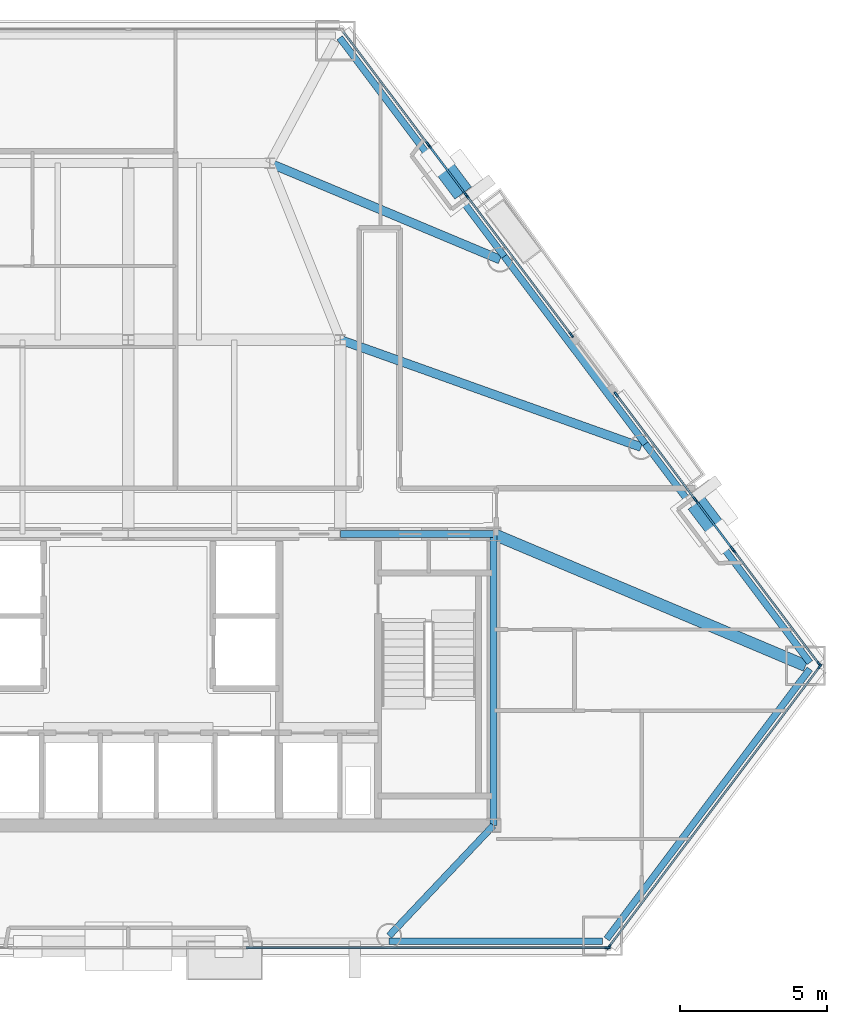
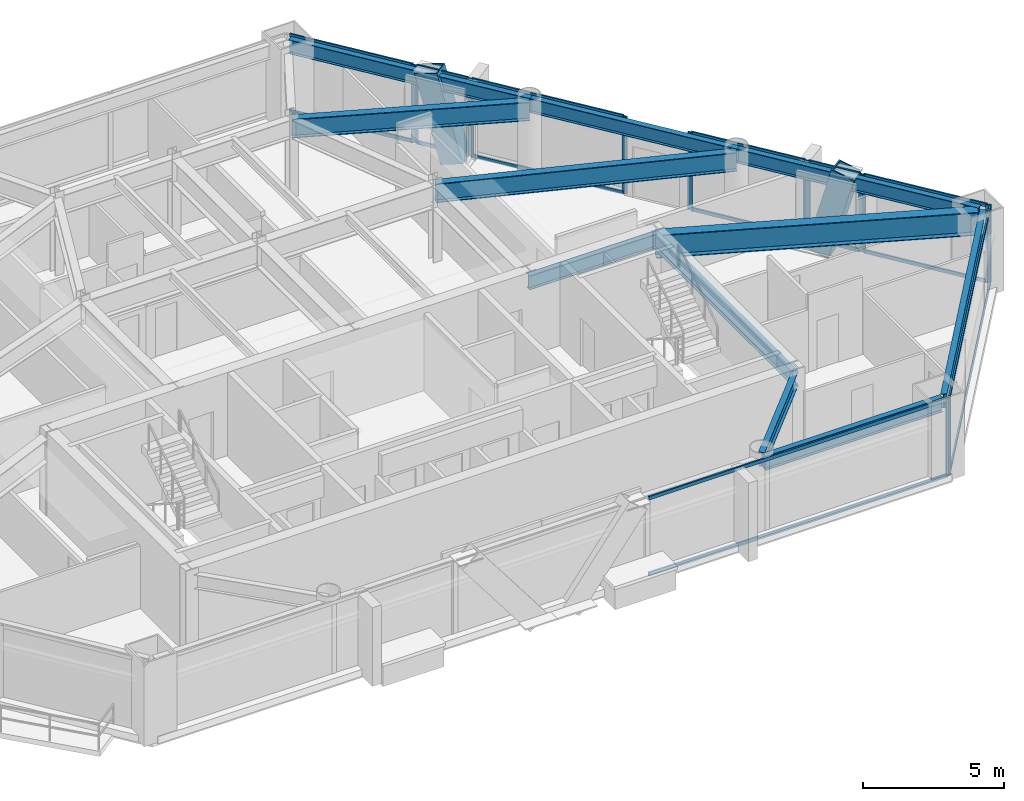
# One storey, part 4 of 10: 32 members, 11 beams, 8 elements without a shape of their own.
"""IFC4 building model written with IfcOpenShell, lengths in metres."""

from ifc_helpers import new_model, si_unit, direction, frame, origin, origin_2d, place, context, subcontext, project, spatial, rectangle, hollow_rectangle, i_section, extrude, material, layer, layer_set, material_profile, profile_set, type_object, element, aggregate, save


model = new_model("IFC4")

# Units and contexts
model_context = context("Model", 3, precision=1e-05, world=origin(), true_north=direction((0.0, 1.0)))
body_context = subcontext(model_context, "Body", "Model", "MODEL_VIEW")
ifc_project = project(units=[si_unit("LENGTHUNIT", "METRE"), si_unit("AREAUNIT", "SQUARE_METRE"), si_unit("VOLUMEUNIT", "CUBIC_METRE"), si_unit("PLANEANGLEUNIT", "RADIAN"), si_unit("MASSUNIT", "GRAM", prefix="KILO")], contexts=[model_context])

# Site, building, storey
site_placement = place(None, origin())
site = spatial("IfcSite", under=ifc_project, at=site_placement, CompositionType="ELEMENT")
building_placement = place(site_placement, origin())
building = spatial("IfcBuilding", under=site, at=building_placement, Name="Talgorran Terracotta Tower", CompositionType="ELEMENT")
storey_placement = place(building_placement, frame((0.0, 0.0, 75.60009765625)))
storey = spatial("IfcBuildingStorey", under=building, at=storey_placement, Name="L19", CompositionType="ELEMENT", Elevation=75.60009765625)

# Beams
ifc_material_1 = material(Name="Steel Grade 350 (350L0)", Category="steel")
ifc_material_profile_1 = material_profile(ifc_material_1, i_section(OverallWidth=0.39990234375, OverallDepth=1.0, WebThickness=0.01611328125, FlangeThickness=0.031005859375, at=origin_2d()), Name="1000WB296")
ifc_profile_set_1 = profile_set([ifc_material_profile_1], Name="Steel Grade 350 (350L0)")
beam_type_1 = type_object("IfcBeamType", Name="BM_1000WB296", PredefinedType="BEAM", material=ifc_profile_set_1)
beam_1_placement = place(storey_placement, frame((12.39990234375, -4.199951171875, 2.849853515625), z_axis=(0.921400833848, -0.388613565619, 0.0), x_axis=(0.388613565619, 0.921400833848, 0.0)))
element("IfcBeam", 1, at=beam_1_placement, inside=storey, type_object=beam_type_1, Name="L19 Floor Girder G18", PredefinedType="BEAM", context=body_context, shape_type="SweptSolid", body=[
    extrude(i_section(OverallWidth=0.39990234375, OverallDepth=1.0, WebThickness=0.01611328125, FlangeThickness=0.031005859375, at=origin_2d()), origin(), (0.0, 0.0, 1.0), 11.510009765625),
])
ifc_material_2 = material(Name="Steel S355 (300PLUS)", Category="steel")
ifc_material_profile_2 = material_profile(ifc_material_2, i_section(OverallWidth=0.300048828125, OverallDepth=0.81591796875, WebThickness=0.013916015625, FlangeThickness=0.028076171875, at=origin_2d()), Name="800WB192")
ifc_profile_set_2 = profile_set([ifc_material_profile_2], Name="Steel S355 (300PLUS)")
beam_type_2 = type_object("IfcBeamType", Name="BM_800WB192", PredefinedType="BEAM", material=ifc_profile_set_2)
beam_2_placement = place(storey_placement, frame((7.199951171875, 2.39990234375, 2.94189453125), z_axis=(0.941876792617, -0.335958490783, 0.0), x_axis=(0.335958490783, 0.941876792617, 0.0)))
element("IfcBeam", 2, at=beam_2_placement, inside=storey, type_object=beam_type_2, Name="L19 Floor Girder G07", PredefinedType="BEAM", context=body_context, shape_type="SweptSolid", body=[
    extrude(i_section(OverallWidth=0.300048828125, OverallDepth=0.81591796875, WebThickness=0.013916015625, FlangeThickness=0.028076171875, at=origin_2d()), origin(), (0.0, 0.0, 1.0), 10.845947265625),
])
beam_3_placement = place(storey_placement, frame((4.800048828125, 8.39990234375, 2.94189453125), z_axis=(0.922404506717, -0.386225227023, 0.0), x_axis=(0.386225227023, 0.922404506717, 0.0)))
element("IfcBeam", 3, at=beam_3_placement, inside=storey, type_object=beam_type_2, Name="L19 Floor Girder G14", PredefinedType="BEAM", context=body_context, shape_type="SweptSolid", body=[
    extrude(i_section(OverallWidth=0.300048828125, OverallDepth=0.81591796875, WebThickness=0.013916015625, FlangeThickness=0.028076171875, at=origin_2d()), origin(), (0.0, 0.0, 1.0), 8.482421875),
])
ifc_material_profile_3 = material_profile(ifc_material_2, i_section(OverallWidth=0.22900390625, OverallDepth=0.611572265625, WebThickness=0.011962890625, FlangeThickness=0.01953125, at=origin_2d()), Name="610UB125")
ifc_profile_set_3 = profile_set([ifc_material_profile_3], Name="Steel S355 (300PLUS)")
beam_type_3 = type_object("IfcBeamType", Name="BM_SP_610UB125", PredefinedType="SPANDREL", material=ifc_profile_set_3)
beam_4_placement = place(storey_placement, frame((8.8564453125, -18.026611328125, 3.044189453125), z_axis=(1.0, 0.0, 0.0), x_axis=(0.0, 1.0, 0.0)))
element("IfcBeam", 4, at=beam_4_placement, inside=storey, type_object=beam_type_3, Name="L19 Perimeter Spandrel Beam FC2-MC3", PredefinedType="SPANDREL", context=body_context, shape_type="SweptSolid", body=[
    extrude(i_section(OverallWidth=0.22900390625, OverallDepth=0.611572265625, WebThickness=0.011962890625, FlangeThickness=0.01953125, at=origin_2d()), origin(), (0.0, 0.0, 1.0), 7.24609375),
])
beam_5_placement = place(storey_placement, frame((16.246337890625, -17.954833984375, 3.044189453125), z_axis=(0.601237780209, 0.799070166913, 0.0), x_axis=(-0.799070166913, 0.601237780209, 0.0)))
element("IfcBeam", 5, at=beam_5_placement, inside=storey, type_object=beam_type_3, Name="L19 Perimeter Spandrel Beam MC3-MC4", PredefinedType="SPANDREL", context=body_context, shape_type="SweptSolid", body=[
    extrude(i_section(OverallWidth=0.22900390625, OverallDepth=0.611572265625, WebThickness=0.011962890625, FlangeThickness=0.01953125, at=origin_2d()), origin(), (0.0, 0.0, 1.0), 11.480712890625),
])
beam_6_placement = place(storey_placement, frame((23.14892578125, -8.564697265625, 3.044189453125), z_axis=(-0.601217758064, 0.799085231617, 0.0), x_axis=(-0.799085231617, -0.601217758064, 0.0)))
element("IfcBeam", 6, at=beam_6_placement, inside=storey, type_object=beam_type_3, Name="L19 Perimeter Spandrel Beam MC4-FC3", PredefinedType="SPANDREL", context=body_context, shape_type="SweptSolid", body=[
    extrude(i_section(OverallWidth=0.22900390625, OverallDepth=0.611572265625, WebThickness=0.011962890625, FlangeThickness=0.01953125, at=origin_2d()), origin(), (0.0, 0.0, 1.0), 9.297119140625),
])
beam_7_placement = place(storey_placement, frame((17.559326171875, -1.135498046875, 3.044189453125), z_axis=(-0.601259066115, 0.799054150489, 0.0), x_axis=(-0.799054150489, -0.601259066115, 0.0)))
element("IfcBeam", 7, at=beam_7_placement, inside=storey, type_object=beam_type_3, Name="L19 Perimeter Spandrel Beam FC3-FC4", PredefinedType="SPANDREL", context=body_context, shape_type="SweptSolid", body=[
    extrude(i_section(OverallWidth=0.22900390625, OverallDepth=0.611572265625, WebThickness=0.011962890625, FlangeThickness=0.01953125, at=origin_2d()), origin(), (0.0, 0.0, 1.0), 7.96875),
])
beam_8_placement = place(storey_placement, frame((12.76806640625, 5.23193359375, 3.044189453125), z_axis=(-0.601247141496, 0.799063123191, 0.0), x_axis=(-0.799063123191, -0.601247141496, 0.0)))
element("IfcBeam", 8, at=beam_8_placement, inside=storey, type_object=beam_type_3, Name="L19 Perimeter Spandrel Beam FC4-MC5", PredefinedType="SPANDREL", context=body_context, shape_type="SweptSolid", body=[
    extrude(i_section(OverallWidth=0.22900390625, OverallDepth=0.611572265625, WebThickness=0.011962890625, FlangeThickness=0.01953125, at=origin_2d()), origin(), (0.0, 0.0, 1.0), 9.297119140625),
])
beam_9_placement = place(storey_placement, frame((12.39990234375, -14.10009765625, 3.044189453125), z_axis=(-0.687137724954, -0.726527182523, 0.0), x_axis=(0.726527182523, -0.687137724954, 0.0)))
element("IfcBeam", 9, at=beam_9_placement, inside=storey, type_object=beam_type_3, Name="L19 South-East Core Tie Beam", PredefinedType="SPANDREL", context=body_context, shape_type="SweptSolid", body=[
    extrude(i_section(OverallWidth=0.22900390625, OverallDepth=0.611572265625, WebThickness=0.011962890625, FlangeThickness=0.01953125, at=origin_2d()), origin(), (0.0, 0.0, 1.0), 5.15673828125),
])
beam_10_placement = place(storey_placement, frame((12.39990234375, -14.10009765625, 3.044189453125), z_axis=(0.0, 1.0, 0.0), x_axis=(-1.0, 0.0, 0.0)))
element("IfcBeam", 10, at=beam_10_placement, inside=storey, type_object=beam_type_3, Name="L19 Core Frame Beam CFE", PredefinedType="SPANDREL", context=body_context, shape_type="SweptSolid", body=[
    extrude(i_section(OverallWidth=0.22900390625, OverallDepth=0.611572265625, WebThickness=0.011962890625, FlangeThickness=0.01953125, at=origin_2d()), origin(), (0.0, 0.0, 1.0), 9.900146484375),
])
beam_11_placement = place(storey_placement, frame((7.199951171875, -4.199951171875, 3.044189453125), z_axis=(1.0, 0.0, 0.0), x_axis=(0.0, 1.0, 0.0)))
element("IfcBeam", 11, at=beam_11_placement, inside=storey, type_object=beam_type_3, Name="L19 Core Frame Beam CFN4", PredefinedType="SPANDREL", context=body_context, shape_type="SweptSolid", body=[
    extrude(i_section(OverallWidth=0.22900390625, OverallDepth=0.611572265625, WebThickness=0.011962890625, FlangeThickness=0.01953125, at=origin_2d()), origin(), (0.0, 0.0, 1.0), 5.199951171875),
])

# Members
ifc_material_profile_4 = material_profile(ifc_material_1, hollow_rectangle(XDim=0.699951171875, YDim=0.89990234375, WallThickness=0.050048828125, at=origin_2d()), Name="WBOX900X700X50")
ifc_profile_set_4 = profile_set([ifc_material_profile_4], Name="Steel Grade 350 (350L0)")
member_type_1 = type_object("IfcMemberType", Name="MB_MEGA_900", PredefinedType="BRACE", material=ifc_profile_set_4)
for number, where, z_axis, x_axis, name in (
    (12, (19.557861328125, -3.4921875, -0.27001953125), (0.15896705437, -0.211353190532, 0.964395823548), (0.799178579283, 0.601093668587, 0.0), "L19 Exterior Face Mega-Brace MB-1 (NEL)"),
    (13, (11.1123046875, 7.732421875, -0.27001953125), (-0.159032186346, 0.211289310129, 0.964399082917), (-0.798972940561, -0.601366976356, 0.0), "L19 Exterior Face Mega-Brace MB-1 (NEU)"),
):
    element("IfcMember", number, at=place(storey_placement, frame(where, z_axis=z_axis, x_axis=x_axis)), inside=storey, type_object=member_type_1, Name=name, PredefinedType="BRACE", context=body_context, shape_type="SweptSolid", body=[
        extrude(hollow_rectangle(XDim=0.699951171875, YDim=0.89990234375, WallThickness=0.050048828125, at=origin_2d()), origin(), (0.0, 0.0, 1.0), 3.779541015625),
    ])

# Curtain wall, member
ifc_material_3 = material(Name="Unitised Low-E Double Glazing", Category="glass")
ifc_layer = layer(ifc_material_3, 0.199951171875, Name="CW_SYS2_RES_LOW")
ifc_layer_set = layer_set([ifc_layer], Name="Unitised Low-E Double Glazing")
curtain_wall_type = type_object("IfcCurtainWallType", Name="CW_SYS2_RES_LOW", PredefinedType="NOTDEFINED", material=ifc_layer_set)
curtain_wall_1_placement = place(storey_placement, origin())
curtain_wall_1 = element("IfcCurtainWall", 14, at=curtain_wall_1_placement, inside=storey, type_object=curtain_wall_type, Name="CW-L19-F1C", PredefinedType="NOTDEFINED")
ifc_material_4 = material(Name="Architectural Aluminium 6063-T6", Category="aluminium")
ifc_material_profile_5 = material_profile(ifc_material_4, rectangle(XDim=0.06494140625, YDim=0.18505859375, at=origin_2d()), Name="CWM65X185")
ifc_profile_set_5 = profile_set([ifc_material_profile_5], Name="Architectural Aluminium 6063-T6")
member_type_2 = type_object("IfcMemberType", Name="MUL_65X185", PredefinedType="MULLION", material=ifc_profile_set_5)
member_1_placement = place(storey_placement, frame((16.26953125, -18.24658203125, 0.0), z_axis=(0.0, 0.0, 1.0), x_axis=(0.0, 1.0, 0.0)))
member_1 = element("IfcMember", 15, at=member_1_placement, type_object=member_type_2, Name="CW-L19-1C mullion 2", PredefinedType="MULLION", context=body_context, shape_type="SweptSolid", body=[
    extrude(rectangle(XDim=0.06494140625, YDim=0.18505859375, at=origin_2d()), origin(), (0.0, 0.0, 1.0), 3.349853515625),
])

# Curtain wall, members
curtain_wall_2_placement = place(storey_placement, origin())
curtain_wall_2 = element("IfcCurtainWall", 16, at=curtain_wall_2_placement, inside=storey, type_object=curtain_wall_type, Name="CW-L19-F2", PredefinedType="NOTDEFINED")
member_2_placement = place(storey_placement, frame((16.321533203125, -18.220703125, 0.0), z_axis=(0.0, 0.0, 1.0), x_axis=(-0.799066585102, 0.601242540556, 0.0)))
member_2 = element("IfcMember", 17, at=member_2_placement, type_object=member_type_2, Name="CW-L19-2 mullion 1", PredefinedType="MULLION", context=body_context, shape_type="SweptSolid", body=[
    extrude(rectangle(XDim=0.06494140625, YDim=0.18505859375, at=origin_2d()), origin(), (0.0, 0.0, 1.0), 3.349853515625),
])
member_3_placement = place(storey_placement, frame((23.486328125, -8.69873046875, 0.0), z_axis=(0.0, 0.0, 1.0), x_axis=(-0.799066585102, 0.601242540556, 0.0)))
member_3 = element("IfcMember", 18, at=member_3_placement, type_object=member_type_2, Name="CW-L19-2 mullion 2", PredefinedType="MULLION", context=body_context, shape_type="SweptSolid", body=[
    extrude(rectangle(XDim=0.06494140625, YDim=0.18505859375, at=origin_2d()), origin(), (0.0, 0.0, 1.0), 3.349853515625),
])

curtain_wall_3_placement = place(storey_placement, origin())
curtain_wall_3 = element("IfcCurtainWall", 19, at=curtain_wall_3_placement, inside=storey, type_object=curtain_wall_type, Name="CW-L19-F40", PredefinedType="NOTDEFINED")
member_4_placement = place(storey_placement, frame((23.462158203125, -8.61474609375, 0.0), z_axis=(0.0, 0.0, 1.0), x_axis=(-0.799072906041, -0.601234139776, 0.0)))
member_4 = element("IfcMember", 20, at=member_4_placement, type_object=member_type_2, Name="CW-L19-40 mullion 1", PredefinedType="MULLION", context=body_context, shape_type="SweptSolid", body=[
    extrude(rectangle(XDim=0.06494140625, YDim=0.18505859375, at=origin_2d()), origin(), (0.0, 0.0, 1.0), 3.349853515625),
])
member_5_placement = place(storey_placement, frame((20.564453125, -4.763427734375, 0.0), z_axis=(0.0, 0.0, 1.0), x_axis=(-0.799072906041, -0.601234139776, 0.0)))
member_5 = element("IfcMember", 21, at=member_5_placement, type_object=member_type_2, Name="CW-L19-40 mullion 2", PredefinedType="MULLION", context=body_context, shape_type="SweptSolid", body=[
    extrude(rectangle(XDim=0.06494140625, YDim=0.18505859375, at=origin_2d()), origin(), (0.0, 0.0, 1.0), 3.349853515625),
])

curtain_wall_4_placement = place(storey_placement, origin())
curtain_wall_4 = element("IfcCurtainWall", 22, at=curtain_wall_4_placement, inside=storey, type_object=curtain_wall_type, Name="CW-L19-F40B", PredefinedType="NOTDEFINED")
member_6_placement = place(storey_placement, frame((20.519287109375, -4.70361328125, 0.0), z_axis=(0.0, 0.0, 1.0), x_axis=(-0.799063344784, -0.601246846997, 0.0)))
member_6 = element("IfcMember", 23, at=member_6_placement, type_object=member_type_2, Name="CW-L19-40B mullion 1", PredefinedType="MULLION", context=body_context, shape_type="SweptSolid", body=[
    extrude(rectangle(XDim=0.06494140625, YDim=0.18505859375, at=origin_2d()), origin(), (0.0, 0.0, 1.0), 3.349853515625),
])
member_7_placement = place(storey_placement, frame((19.2861328125, -3.064697265625, 0.0), z_axis=(0.0, 0.0, 1.0), x_axis=(-0.799063344784, -0.601246846997, 0.0)))
member_7 = element("IfcMember", 24, at=member_7_placement, type_object=member_type_2, Name="CW-L19-40B mullion 2", PredefinedType="MULLION", context=body_context, shape_type="SweptSolid", body=[
    extrude(rectangle(XDim=0.06494140625, YDim=0.18505859375, at=origin_2d()), origin(), (0.0, 0.0, 1.0), 3.349853515625),
])

curtain_wall_5_placement = place(storey_placement, origin())
curtain_wall_5 = element("IfcCurtainWall", 25, at=curtain_wall_5_placement, inside=storey, type_object=curtain_wall_type, Name="CW-L19-F40C", PredefinedType="NOTDEFINED")
member_8_placement = place(storey_placement, frame((19.240966796875, -3.004638671875, 0.0), z_axis=(0.0, 0.0, 1.0), x_axis=(-0.79907092656, -0.601236770604, 0.0)))
member_8 = element("IfcMember", 26, at=member_8_placement, type_object=member_type_2, Name="CW-L19-40C mullion 1", PredefinedType="MULLION", context=body_context, shape_type="SweptSolid", body=[
    extrude(rectangle(XDim=0.06494140625, YDim=0.18505859375, at=origin_2d()), origin(), (0.0, 0.0, 1.0), 3.349853515625),
])
member_9_placement = place(storey_placement, frame((16.567138671875, 0.549072265625, 0.0), z_axis=(0.0, 0.0, 1.0), x_axis=(-0.79907092656, -0.601236770604, 0.0)))
member_9 = element("IfcMember", 27, at=member_9_placement, type_object=member_type_2, Name="CW-L19-40C mullion 2", PredefinedType="MULLION", context=body_context, shape_type="SweptSolid", body=[
    extrude(rectangle(XDim=0.06494140625, YDim=0.18505859375, at=origin_2d()), origin(), (0.0, 0.0, 1.0), 3.349853515625),
])

curtain_wall_6_placement = place(storey_placement, origin())
curtain_wall_6 = element("IfcCurtainWall", 28, at=curtain_wall_6_placement, inside=storey, type_object=curtain_wall_type, Name="CW-L19-F41", PredefinedType="NOTDEFINED")
member_10_placement = place(storey_placement, frame((15.049072265625, 2.566650390625, 0.0), z_axis=(0.0, 0.0, 1.0), x_axis=(-0.799059815212, -0.601251537806, 0.0)))
member_10 = element("IfcMember", 29, at=member_10_placement, type_object=member_type_2, Name="CW-L19-41 mullion 1", PredefinedType="MULLION", context=body_context, shape_type="SweptSolid", body=[
    extrude(rectangle(XDim=0.06494140625, YDim=0.18505859375, at=origin_2d()), origin(), (0.0, 0.0, 1.0), 3.349853515625),
])
member_11_placement = place(storey_placement, frame((11.492919921875, 7.292724609375, 0.0), z_axis=(0.0, 0.0, 1.0), x_axis=(-0.799059815212, -0.601251537806, 0.0)))
member_11 = element("IfcMember", 30, at=member_11_placement, type_object=member_type_2, Name="CW-L19-41 mullion 2", PredefinedType="MULLION", context=body_context, shape_type="SweptSolid", body=[
    extrude(rectangle(XDim=0.06494140625, YDim=0.18505859375, at=origin_2d()), origin(), (0.0, 0.0, 1.0), 3.349853515625),
])

curtain_wall_7_placement = place(storey_placement, origin())
curtain_wall_7 = element("IfcCurtainWall", 31, at=curtain_wall_7_placement, inside=storey, type_object=curtain_wall_type, Name="CW-L19-F41B", PredefinedType="NOTDEFINED")
member_12_placement = place(storey_placement, frame((11.44775390625, 7.352783203125, 0.0), z_axis=(0.0, 0.0, 1.0), x_axis=(-0.799063344784, -0.601246846997, 0.0)))
member_12 = element("IfcMember", 32, at=member_12_placement, type_object=member_type_2, Name="CW-L19-41B mullion 1", PredefinedType="MULLION", context=body_context, shape_type="SweptSolid", body=[
    extrude(rectangle(XDim=0.06494140625, YDim=0.18505859375, at=origin_2d()), origin(), (0.0, 0.0, 1.0), 3.349853515625),
])
member_13_placement = place(storey_placement, frame((10.214599609375, 8.99169921875, 0.0), z_axis=(0.0, 0.0, 1.0), x_axis=(-0.799063344784, -0.601246846997, 0.0)))
member_13 = element("IfcMember", 33, at=member_13_placement, type_object=member_type_2, Name="CW-L19-41B mullion 2", PredefinedType="MULLION", context=body_context, shape_type="SweptSolid", body=[
    extrude(rectangle(XDim=0.06494140625, YDim=0.18505859375, at=origin_2d()), origin(), (0.0, 0.0, 1.0), 3.349853515625),
])

# Curtain wall, member
curtain_wall_8_placement = place(storey_placement, origin())
curtain_wall_8 = element("IfcCurtainWall", 34, at=curtain_wall_8_placement, inside=storey, type_object=curtain_wall_type, Name="CW-L19-F41C", PredefinedType="NOTDEFINED")
member_14_placement = place(storey_placement, frame((10.16943359375, 9.051513671875, 0.0), z_axis=(0.0, 0.0, 1.0), x_axis=(-0.799063586675, -0.601246525521, 0.0)))
member_14 = element("IfcMember", 35, at=member_14_placement, type_object=member_type_2, Name="CW-L19-41C mullion 1", PredefinedType="MULLION", context=body_context, shape_type="SweptSolid", body=[
    extrude(rectangle(XDim=0.06494140625, YDim=0.18505859375, at=origin_2d()), origin(), (0.0, 0.0, 1.0), 3.349853515625),
])

# Member
ifc_material_profile_6 = material_profile(ifc_material_4, rectangle(XDim=0.06494140625, YDim=0.14990234375, at=origin_2d()), Name="CWT65X150")
ifc_profile_set_6 = profile_set([ifc_material_profile_6], Name="Architectural Aluminium 6063-T6")
member_type_3 = type_object("IfcMemberType", Name="TRN_65X150", PredefinedType="USERDEFINED", material=ifc_profile_set_6)
member_15_placement = place(storey_placement, frame((3.997802734375, -18.24658203125, 0.032470703125), z_axis=(1.0, 0.0, 0.0), x_axis=(0.0, 1.0, 0.0)))
member_15 = element("IfcMember", 36, at=member_15_placement, type_object=member_type_3, Name="CW-L19-1C transom 1.1", ObjectType="TRANSOM", PredefinedType="USERDEFINED", context=body_context, shape_type="SweptSolid", body=[
    extrude(rectangle(XDim=0.06494140625, YDim=0.14990234375, at=origin_2d()), origin(), (0.0, 0.0, 1.0), 12.2392578125),
])

member_16_placement = place(storey_placement, frame((3.997802734375, -18.24658203125, 3.3173828125), z_axis=(1.0, 0.0, 0.0), x_axis=(0.0, 1.0, 0.0)))
member_16 = element("IfcMember", 37, at=member_16_placement, type_object=member_type_3, Name="CW-L19-1C transom 1.2", ObjectType="TRANSOM", PredefinedType="USERDEFINED", context=body_context, shape_type="SweptSolid", body=[
    extrude(rectangle(XDim=0.06494140625, YDim=0.14990234375, at=origin_2d()), origin(), (0.0, 0.0, 1.0), 12.2392578125),
])

aggregate(curtain_wall_1, [member_1, member_15, member_16])

member_17_placement = place(storey_placement, frame((16.341064453125, -18.19482421875, 0.032470703125), z_axis=(0.601255042724, 0.799057177929, 0.0), x_axis=(-0.799057177929, 0.601255042724, 0.0)))
member_17 = element("IfcMember", 38, at=member_17_placement, type_object=member_type_3, Name="CW-L19-2 transom 1.1", ObjectType="TRANSOM", PredefinedType="USERDEFINED", context=body_context, shape_type="SweptSolid", body=[
    extrude(rectangle(XDim=0.06494140625, YDim=0.14990234375, at=origin_2d()), origin(), (0.0, 0.0, 1.0), 11.851318359375),
])

member_18_placement = place(storey_placement, frame((16.341064453125, -18.19482421875, 3.3173828125), z_axis=(0.601255042724, 0.799057177929, 0.0), x_axis=(-0.799057177929, 0.601255042724, 0.0)))
member_18 = element("IfcMember", 39, at=member_18_placement, type_object=member_type_3, Name="CW-L19-2 transom 1.2", ObjectType="TRANSOM", PredefinedType="USERDEFINED", context=body_context, shape_type="SweptSolid", body=[
    extrude(rectangle(XDim=0.06494140625, YDim=0.14990234375, at=origin_2d()), origin(), (0.0, 0.0, 1.0), 11.851318359375),
])

aggregate(curtain_wall_2, [member_2, member_3, member_17, member_18])

member_19_placement = place(storey_placement, frame((23.442626953125, -8.5888671875, 0.032470703125), z_axis=(-0.601231635821, 0.799074790046, 0.0), x_axis=(-0.799074790046, -0.601231635821, 0.0)))
member_19 = element("IfcMember", 40, at=member_19_placement, type_object=member_type_3, Name="CW-L19-40 transom 1.1", ObjectType="TRANSOM", PredefinedType="USERDEFINED", context=body_context, shape_type="SweptSolid", body=[
    extrude(rectangle(XDim=0.06494140625, YDim=0.14990234375, at=origin_2d()), origin(), (0.0, 0.0, 1.0), 4.754638671875),
])

member_20_placement = place(storey_placement, frame((23.442626953125, -8.5888671875, 3.3173828125), z_axis=(-0.601231635821, 0.799074790046, 0.0), x_axis=(-0.799074790046, -0.601231635821, 0.0)))
member_20 = element("IfcMember", 41, at=member_20_placement, type_object=member_type_3, Name="CW-L19-40 transom 1.2", ObjectType="TRANSOM", PredefinedType="USERDEFINED", context=body_context, shape_type="SweptSolid", body=[
    extrude(rectangle(XDim=0.06494140625, YDim=0.14990234375, at=origin_2d()), origin(), (0.0, 0.0, 1.0), 4.754638671875),
])

aggregate(curtain_wall_3, [member_4, member_5, member_19, member_20])

member_21_placement = place(storey_placement, frame((20.499755859375, -4.677734375, 0.032470703125), z_axis=(-0.601199019154, 0.799099330101, 0.0), x_axis=(-0.799099330101, -0.601199019154, 0.0)))
member_21 = element("IfcMember", 42, at=member_21_placement, type_object=member_type_3, Name="CW-L19-40B transom 1.1", ObjectType="TRANSOM", PredefinedType="USERDEFINED", context=body_context, shape_type="SweptSolid", body=[
    extrude(rectangle(XDim=0.06494140625, YDim=0.14990234375, at=origin_2d()), origin(), (0.0, 0.0, 1.0), 1.986083984375),
])

member_22_placement = place(storey_placement, frame((20.499755859375, -4.677734375, 3.3173828125), z_axis=(-0.601199019154, 0.799099330101, 0.0), x_axis=(-0.799099330101, -0.601199019154, 0.0)))
member_22 = element("IfcMember", 43, at=member_22_placement, type_object=member_type_3, Name="CW-L19-40B transom 1.2", ObjectType="TRANSOM", PredefinedType="USERDEFINED", context=body_context, shape_type="SweptSolid", body=[
    extrude(rectangle(XDim=0.06494140625, YDim=0.14990234375, at=origin_2d()), origin(), (0.0, 0.0, 1.0), 1.986083984375),
])

aggregate(curtain_wall_4, [member_6, member_7, member_21, member_22])

member_23_placement = place(storey_placement, frame((19.221435546875, -2.978759765625, 0.032470703125), z_axis=(-0.601238303724, 0.799069773008, 0.0), x_axis=(-0.799069773008, -0.601238303724, 0.0)))
member_23 = element("IfcMember", 44, at=member_23_placement, type_object=member_type_3, Name="CW-L19-40C transom 1.1", ObjectType="TRANSOM", PredefinedType="USERDEFINED", context=body_context, shape_type="SweptSolid", body=[
    extrude(rectangle(XDim=0.06494140625, YDim=0.14990234375, at=origin_2d()), origin(), (0.0, 0.0, 1.0), 4.38232421875),
])

member_24_placement = place(storey_placement, frame((19.221435546875, -2.978759765625, 3.3173828125), z_axis=(-0.601238303724, 0.799069773008, 0.0), x_axis=(-0.799069773008, -0.601238303724, 0.0)))
member_24 = element("IfcMember", 45, at=member_24_placement, type_object=member_type_3, Name="CW-L19-40C transom 1.2", ObjectType="TRANSOM", PredefinedType="USERDEFINED", context=body_context, shape_type="SweptSolid", body=[
    extrude(rectangle(XDim=0.06494140625, YDim=0.14990234375, at=origin_2d()), origin(), (0.0, 0.0, 1.0), 4.38232421875),
])

aggregate(curtain_wall_5, [member_8, member_9, member_23, member_24])

member_25_placement = place(storey_placement, frame((15.029296875, 2.592529296875, 0.032470703125), z_axis=(-0.601214675274, 0.799087551045, 0.0), x_axis=(-0.799087551045, -0.601214675274, 0.0)))
member_25 = element("IfcMember", 46, at=member_25_placement, type_object=member_type_3, Name="CW-L19-41 transom 1.1", ObjectType="TRANSOM", PredefinedType="USERDEFINED", context=body_context, shape_type="SweptSolid", body=[
    extrude(rectangle(XDim=0.06494140625, YDim=0.14990234375, at=origin_2d()), origin(), (0.0, 0.0, 1.0), 5.849609375),
])

member_26_placement = place(storey_placement, frame((15.029296875, 2.592529296875, 3.3173828125), z_axis=(-0.601214675274, 0.799087551045, 0.0), x_axis=(-0.799087551045, -0.601214675274, 0.0)))
member_26 = element("IfcMember", 47, at=member_26_placement, type_object=member_type_3, Name="CW-L19-41 transom 1.2", ObjectType="TRANSOM", PredefinedType="USERDEFINED", context=body_context, shape_type="SweptSolid", body=[
    extrude(rectangle(XDim=0.06494140625, YDim=0.14990234375, at=origin_2d()), origin(), (0.0, 0.0, 1.0), 5.849609375),
])

aggregate(curtain_wall_6, [member_10, member_11, member_25, member_26])

member_27_placement = place(storey_placement, frame((11.42822265625, 7.378662109375, 0.032470703125), z_axis=(-0.601258075996, 0.799054895517, 0.0), x_axis=(-0.799054895517, -0.601258075996, 0.0)))
member_27 = element("IfcMember", 48, at=member_27_placement, type_object=member_type_3, Name="CW-L19-41B transom 1.1", ObjectType="TRANSOM", PredefinedType="USERDEFINED", context=body_context, shape_type="SweptSolid", body=[
    extrude(rectangle(XDim=0.06494140625, YDim=0.14990234375, at=origin_2d()), origin(), (0.0, 0.0, 1.0), 1.986083984375),
])

member_28_placement = place(storey_placement, frame((11.42822265625, 7.378662109375, 3.3173828125), z_axis=(-0.601258075996, 0.799054895517, 0.0), x_axis=(-0.799054895517, -0.601258075996, 0.0)))
member_28 = element("IfcMember", 49, at=member_28_placement, type_object=member_type_3, Name="CW-L19-41B transom 1.2", ObjectType="TRANSOM", PredefinedType="USERDEFINED", context=body_context, shape_type="SweptSolid", body=[
    extrude(rectangle(XDim=0.06494140625, YDim=0.14990234375, at=origin_2d()), origin(), (0.0, 0.0, 1.0), 1.986083984375),
])

aggregate(curtain_wall_7, [member_12, member_13, member_27, member_28])

member_29_placement = place(storey_placement, frame((10.14990234375, 9.07763671875, 0.032470703125), z_axis=(-0.60125888976, 0.79905428319, 0.0), x_axis=(-0.79905428319, -0.60125888976, 0.0)))
member_29 = element("IfcMember", 50, at=member_29_placement, type_object=member_type_3, Name="CW-L19-41C transom 1.1", ObjectType="TRANSOM", PredefinedType="USERDEFINED", context=body_context, shape_type="SweptSolid", body=[
    extrude(rectangle(XDim=0.06494140625, YDim=0.14990234375, at=origin_2d()), origin(), (0.0, 0.0, 1.0), 4.74462890625),
])

member_30_placement = place(storey_placement, frame((10.14990234375, 9.07763671875, 3.3173828125), z_axis=(-0.60125888976, 0.79905428319, 0.0), x_axis=(-0.79905428319, -0.60125888976, 0.0)))
member_30 = element("IfcMember", 51, at=member_30_placement, type_object=member_type_3, Name="CW-L19-41C transom 1.2", ObjectType="TRANSOM", PredefinedType="USERDEFINED", context=body_context, shape_type="SweptSolid", body=[
    extrude(rectangle(XDim=0.06494140625, YDim=0.14990234375, at=origin_2d()), origin(), (0.0, 0.0, 1.0), 4.74462890625),
])

aggregate(curtain_wall_8, [member_14, member_29, member_30])

save(model, "model.ifc")
